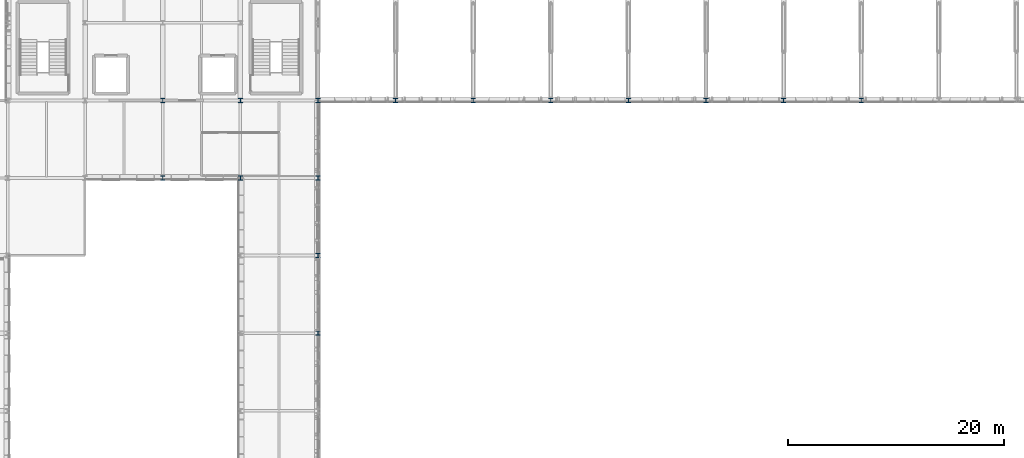
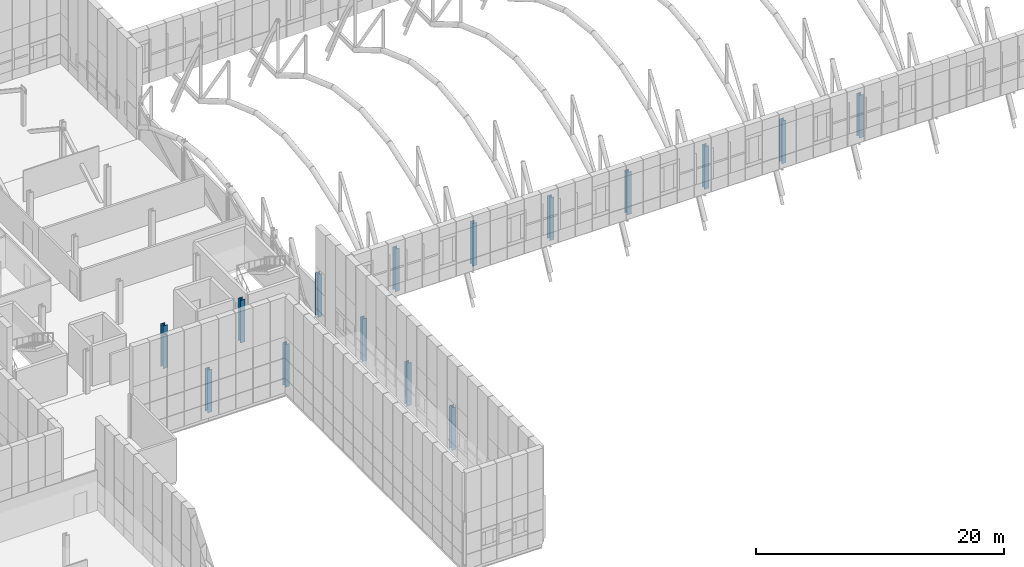
# One storey, part 4 of 144: 15 columns.
"""IFC4 building model written with IfcOpenShell, lengths in metres."""

from ifc_helpers import new_model, si_unit, direction, frame, origin, origin_2d, place, context, subcontext, project, spatial, i_section, extrude, material, material_profile, profile_set, type_object, element, save


model = new_model("IFC4")

# Units and contexts
model_context = context("Model", 3, precision=1e-05, world=origin(), true_north=direction((0.0, 1.0)))
body_context = subcontext(model_context, "Body", "Model", "MODEL_VIEW")
ifc_project = project(units=[si_unit("LENGTHUNIT", "METRE"), si_unit("AREAUNIT", "SQUARE_METRE"), si_unit("VOLUMEUNIT", "CUBIC_METRE"), si_unit("PLANEANGLEUNIT", "RADIAN"), si_unit("MASSUNIT", "GRAM", prefix="KILO")], contexts=[model_context])

# Site, building, storey
site_placement = place(None, origin())
site = spatial("IfcSite", under=ifc_project, at=site_placement, CompositionType="ELEMENT")
building_placement = place(site_placement, origin())
building = spatial("IfcBuilding", under=site, at=building_placement, Name="Yarey Park Central Fire Station", CompositionType="ELEMENT")
storey_placement = place(building_placement, frame((0.0, 0.0, 10.199951171875)))
storey = spatial("IfcBuildingStorey", under=building, at=storey_placement, Name="L03", CompositionType="ELEMENT", Elevation=10.199951171875)

# Columns
ifc_material = material(Name="Steel ASTM A992 Gr. 50", Category="steel")
ifc_material_profile_1 = material_profile(ifc_material, i_section(OverallWidth=0.404052734375, OverallDepth=0.406982421875, WebThickness=0.027099609375, FlangeThickness=0.043701171875, at=origin_2d()), Name="W360x347")
ifc_profile_set_1 = profile_set([ifc_material_profile_1], Name="Steel ASTM A992 Gr. 50")
column_type_1 = type_object("IfcColumnType", Name="STR_COL_W360_EXT", PredefinedType="COLUMN", material=ifc_profile_set_1)
for number, where, z_axis, x_axis, name in (
    (1, (57.60009765625, 36.0, 0.0), (0.0, 0.0, 1.0), (1.0, 0.0, 0.0), "COL_L03_X576_Y360"),
    (2, (57.60009765625, 43.199951171875, 0.0), (0.0, 0.0, 1.0), (1.0, 0.0, 0.0), "COL_L03_X576_Y432"),
    (3, (57.60009765625, 50.39990234375, 0.0), (0.0, 0.0, 1.0), (1.0, 0.0, 0.0), "COL_L03_X576_Y504"),
    (4, (57.60009765625, 57.60009765625, 0.0), (0.0, 0.0, 1.0), (1.0, 0.0, 0.0), "COL_L03_X576_Y576"),
    (5, (64.800048828125, 57.60009765625, 0.0), (0.0, 0.0, 1.0), (1.0, 0.0, 0.0), "V2_SCR_POST_S_L03_64"),
    (6, (72.0, 57.60009765625, 0.0), (0.0, 0.0, 1.0), (1.0, 0.0, 0.0), "V2_SCR_POST_S_L03_72"),
    (7, (79.199951171875, 57.60009765625, 0.0), (0.0, 0.0, 1.0), (1.0, 0.0, 0.0), "V2_SCR_POST_S_L03_79"),
    (8, (86.39990234375, 57.60009765625, 0.0), (0.0, 0.0, 1.0), (1.0, 0.0, 0.0), "V2_SCR_POST_S_L03_86"),
    (9, (93.60009765625, 57.60009765625, 0.0), (0.0, 0.0, 1.0), (1.0, 0.0, 0.0), "V2_SCR_POST_S_L03_93"),
    (10, (100.800048828125, 57.60009765625, 0.0), (0.0, 0.0, 1.0), (1.0, 0.0, 0.0), "V2_SCR_POST_S_L03_100"),
    (11, (108.0, 57.60009765625, 0.0), (0.0, 0.0, 1.0), (1.0, 0.0, 0.0), "V2_SCR_POST_S_L03_108"),
):
    element("IfcColumn", number, at=place(storey_placement, frame(where, z_axis=z_axis, x_axis=x_axis)), inside=storey, type_object=column_type_1, Name=name, PredefinedType="COLUMN", context=body_context, shape_type="SweptSolid", body=[
        extrude(i_section(OverallWidth=0.404052734375, OverallDepth=0.406982421875, WebThickness=0.027099609375, FlangeThickness=0.043701171875, at=origin_2d()), origin(), (0.0, 0.0, 1.0), 4.199951171875),
    ])
ifc_material_profile_2 = material_profile(ifc_material, i_section(OverallWidth=0.404052734375, OverallDepth=0.406982421875, WebThickness=0.027099609375, FlangeThickness=0.043701171875, at=origin_2d()), Name="W360x347")
ifc_profile_set_2 = profile_set([ifc_material_profile_2], Name="Steel ASTM A992 Gr. 50")
column_type_2 = type_object("IfcColumnType", Name="STR_COL_W360_INT", PredefinedType="COLUMN", material=ifc_profile_set_2)
for number, where, z_axis, x_axis, name in (
    (12, (43.199951171875, 50.39990234375, 0.0), (0.0, 0.0, 1.0), (1.0, 0.0, 0.0), "COL_L03_X432_Y504"),
    (13, (43.199951171875, 57.60009765625, 0.0), (0.0, 0.0, 1.0), (1.0, 0.0, 0.0), "COL_L03_X432_Y576"),
    (14, (50.39990234375, 50.39990234375, 0.0), (0.0, 0.0, 1.0), (1.0, 0.0, 0.0), "COL_L03_X504_Y504"),
    (15, (50.39990234375, 57.60009765625, 0.0), (0.0, 0.0, 1.0), (1.0, 0.0, 0.0), "COL_L03_X504_Y576"),
):
    element("IfcColumn", number, at=place(storey_placement, frame(where, z_axis=z_axis, x_axis=x_axis)), inside=storey, type_object=column_type_2, Name=name, PredefinedType="COLUMN", context=body_context, shape_type="SweptSolid", body=[
        extrude(i_section(OverallWidth=0.404052734375, OverallDepth=0.406982421875, WebThickness=0.027099609375, FlangeThickness=0.043701171875, at=origin_2d()), origin(), (0.0, 0.0, 1.0), 4.199951171875),
    ])

save(model, "model.ifc")
